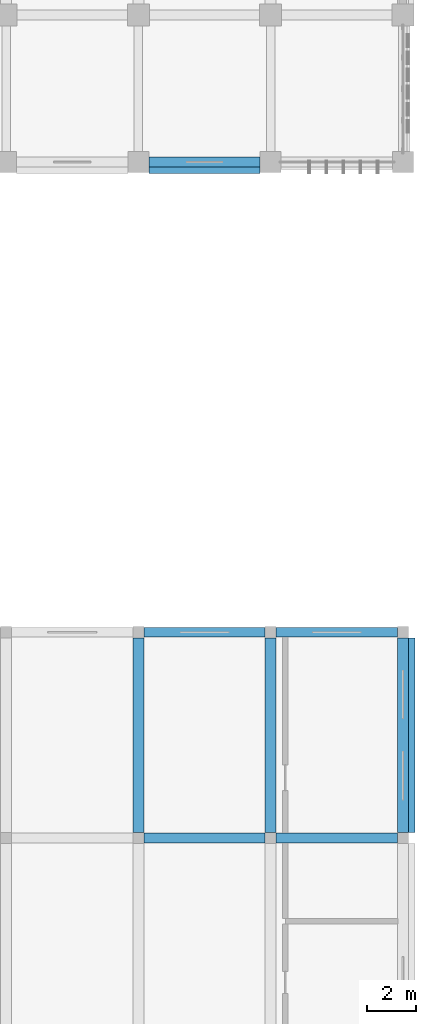
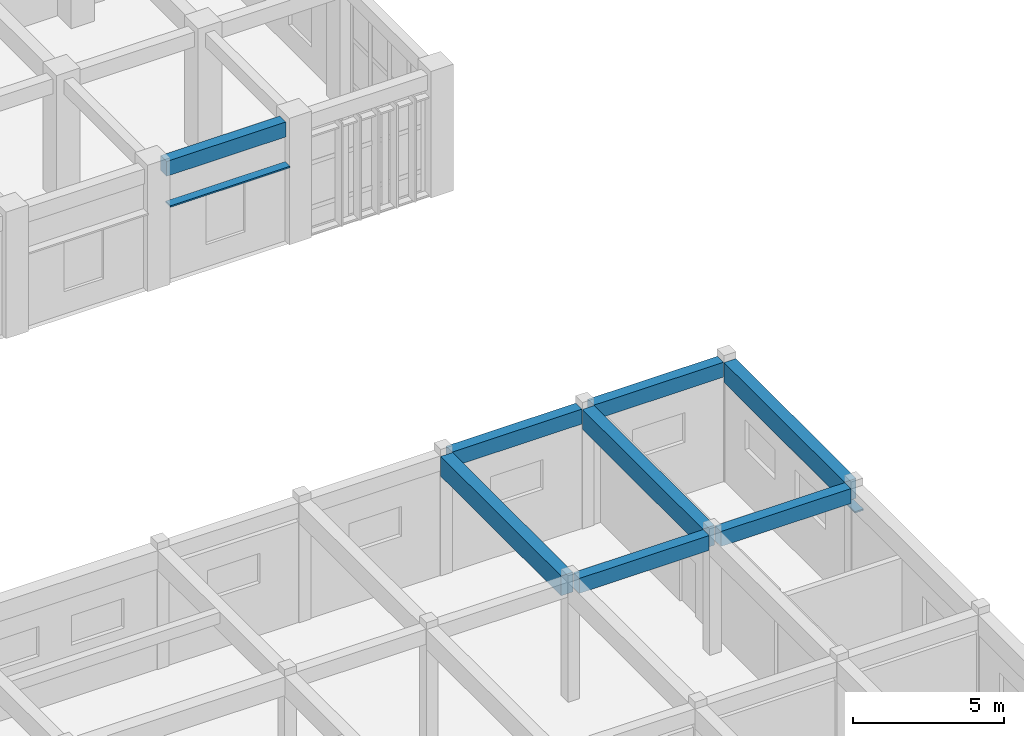
# One storey, part 60 of 106: 8 beams, 2 members.
"""IFC4 building model written with IfcOpenShell, lengths in metres."""

from ifc_helpers import new_model, si_unit, direction, frame, origin, origin_2d, place, context, subcontext, project, spatial, rectangle, hollow_rectangle, extrude, material, material_profile, profile_set, type_object, element, save


model = new_model("IFC4")

# Units and contexts
model_context = context("Model", 3, precision=1e-05, world=origin(), true_north=direction((0.0, 1.0)))
body_context = subcontext(model_context, "Body", "Model", "MODEL_VIEW")
ifc_project = project(units=[si_unit("LENGTHUNIT", "METRE"), si_unit("AREAUNIT", "SQUARE_METRE"), si_unit("VOLUMEUNIT", "CUBIC_METRE"), si_unit("PLANEANGLEUNIT", "RADIAN"), si_unit("MASSUNIT", "GRAM", prefix="KILO")], contexts=[model_context])

# Site, building, storey
site_placement = place(None, origin())
site = spatial("IfcSite", under=ifc_project, at=site_placement, CompositionType="ELEMENT")
building_placement = place(site_placement, origin())
building = spatial("IfcBuilding", under=site, at=building_placement, Name="Krzemoval Escarpment Law Courts", CompositionType="ELEMENT")
storey_placement = place(building_placement, frame((0.0, 0.0, 5.10009765625)))
storey = spatial("IfcBuildingStorey", under=building, at=storey_placement, Name="L01", CompositionType="ELEMENT", Elevation=5.10009765625)

# Beams
ifc_material_1 = material(Name="Concrete C40/50", Category="concrete")
ifc_material_profile_1 = material_profile(ifc_material_1, rectangle(XDim=0.39990234375, YDim=0.60009765625, at=origin_2d()), Name="RCB 400x600")
ifc_profile_set_1 = profile_set([ifc_material_profile_1], Name="Concrete C40/50")
beam_type_1 = type_object("IfcBeamType", Name="BM-RC-400x600", PredefinedType="BEAM", material=ifc_profile_set_1)
for number, where, z_axis, x_axis, name in (
    (1, (162.22509765625, 66.0, 4.52001953125), (1.0, 0.0, 0.0), (0.0, 1.0, 0.0), "Beam FG-L01-1269"),
    (2, (167.625, 66.0, 4.52001953125), (1.0, 0.0, 0.0), (0.0, 1.0, 0.0), "Beam FG-L01-1270"),
    (3, (162.22509765625, 74.39990234375, 4.52001953125), (1.0, 0.0, 0.0), (0.0, 1.0, 0.0), "Beam FG-L01-1278"),
    (4, (167.625, 74.39990234375, 4.52001953125), (1.0, 0.0, 0.0), (0.0, 1.0, 0.0), "Beam FG-L01-1279"),
):
    element("IfcBeam", number, at=place(storey_placement, frame(where, z_axis=z_axis, x_axis=x_axis)), inside=storey, type_object=beam_type_1, Name=name, PredefinedType="BEAM", context=body_context, shape_type="SweptSolid", body=[
        extrude(rectangle(XDim=0.39990234375, YDim=0.60009765625, at=origin_2d()), origin(), (0.0, 0.0, 1.0), 4.949951171875),
    ])
beam_placement = place(storey_placement, frame((162.425048828125, 93.60009765625, 4.52001953125), z_axis=(1.0, 0.0, 0.0), x_axis=(0.0, 1.0, 0.0)))
element("IfcBeam", 5, at=beam_placement, inside=storey, type_object=beam_type_1, Name="Beam FG-L01-1297", PredefinedType="BEAM", context=body_context, shape_type="SweptSolid", body=[
    extrude(rectangle(XDim=0.39990234375, YDim=0.60009765625, at=origin_2d()), origin(), (0.0, 0.0, 1.0), 4.550048828125),
])
ifc_material_2 = material(Name="Concrete C40/50", Category="concrete")
ifc_material_profile_2 = material_profile(ifc_material_2, rectangle(XDim=0.449951171875, YDim=0.800048828125, at=origin_2d()), Name="RCB 450x800")
ifc_profile_set_2 = profile_set([ifc_material_profile_2], Name="Concrete C40/50")
beam_type_2 = type_object("IfcBeamType", Name="BM-RC-450x800", PredefinedType="BEAM", material=ifc_profile_set_2)
for number, where, z_axis, x_axis, name in (
    (6, (162.0, 66.22509765625, 4.419921875), (0.0, 1.0, 0.0), (-1.0, 0.0, 0.0), "Beam FG-L01-1575"),
    (7, (167.39990234375, 66.22509765625, 4.419921875), (0.0, 1.0, 0.0), (-1.0, 0.0, 0.0), "Beam FG-L01-1583"),
    (8, (172.800048828125, 66.22509765625, 4.419921875), (0.0, 1.0, 0.0), (-1.0, 0.0, 0.0), "Beam FG-L01-1591"),
):
    element("IfcBeam", number, at=place(storey_placement, frame(where, z_axis=z_axis, x_axis=x_axis)), inside=storey, type_object=beam_type_2, Name=name, PredefinedType="BEAM", context=body_context, shape_type="SweptSolid", body=[
        extrude(rectangle(XDim=0.449951171875, YDim=0.800048828125, at=origin_2d()), origin(), (0.0, 0.0, 1.0), 7.949951171875),
    ])

# Members
ifc_material_3 = material(Name="Anodised Aluminium Alloy 6063-T6", Category="aluminium")
ifc_material_profile_3 = material_profile(ifc_material_3, hollow_rectangle(XDim=0.06005859375, YDim=0.320068359375, WallThickness=0.00390625, at=origin_2d()), Name="ALU LVR 60x320")
ifc_profile_set_3 = profile_set([ifc_material_profile_3], Name="Anodised Aluminium Alloy 6063-T6")
member_type = type_object("IfcMemberType", Name="LVR-ALU-320", PredefinedType="USERDEFINED", material=ifc_profile_set_3)
member_1_placement = place(storey_placement, frame((166.97509765625, 93.300048828125, 3.159912109375), z_axis=(-1.0, 0.0, 0.0), x_axis=(0.0, 0.0, 1.0)))
element("IfcMember", 9, at=member_1_placement, inside=storey, type_object=member_type, Name="Window Sunshade Louvre FLV-L01-0112", ObjectType="SUNSHADE_LOUVRE", PredefinedType="USERDEFINED", context=body_context, shape_type="SweptSolid", body=[
    extrude(hollow_rectangle(XDim=0.06005859375, YDim=0.320068359375, WallThickness=0.00390625, at=origin_2d()), origin(), (0.0, 0.0, 1.0), 4.550048828125),
])
member_2_placement = place(storey_placement, frame((173.139892578125, 74.175048828125, 3.4599609375), z_axis=(0.0, -1.0, 0.0), x_axis=(0.0, 0.0, 1.0)))
element("IfcMember", 10, at=member_2_placement, inside=storey, type_object=member_type, Name="Window Sunshade Louvre FLV-L01-0128", ObjectType="SUNSHADE_LOUVRE", PredefinedType="USERDEFINED", context=body_context, shape_type="SweptSolid", body=[
    extrude(hollow_rectangle(XDim=0.06005859375, YDim=0.320068359375, WallThickness=0.00390625, at=origin_2d()), origin(), (0.0, 0.0, 1.0), 7.949951171875),
])

save(model, "model.ifc")
